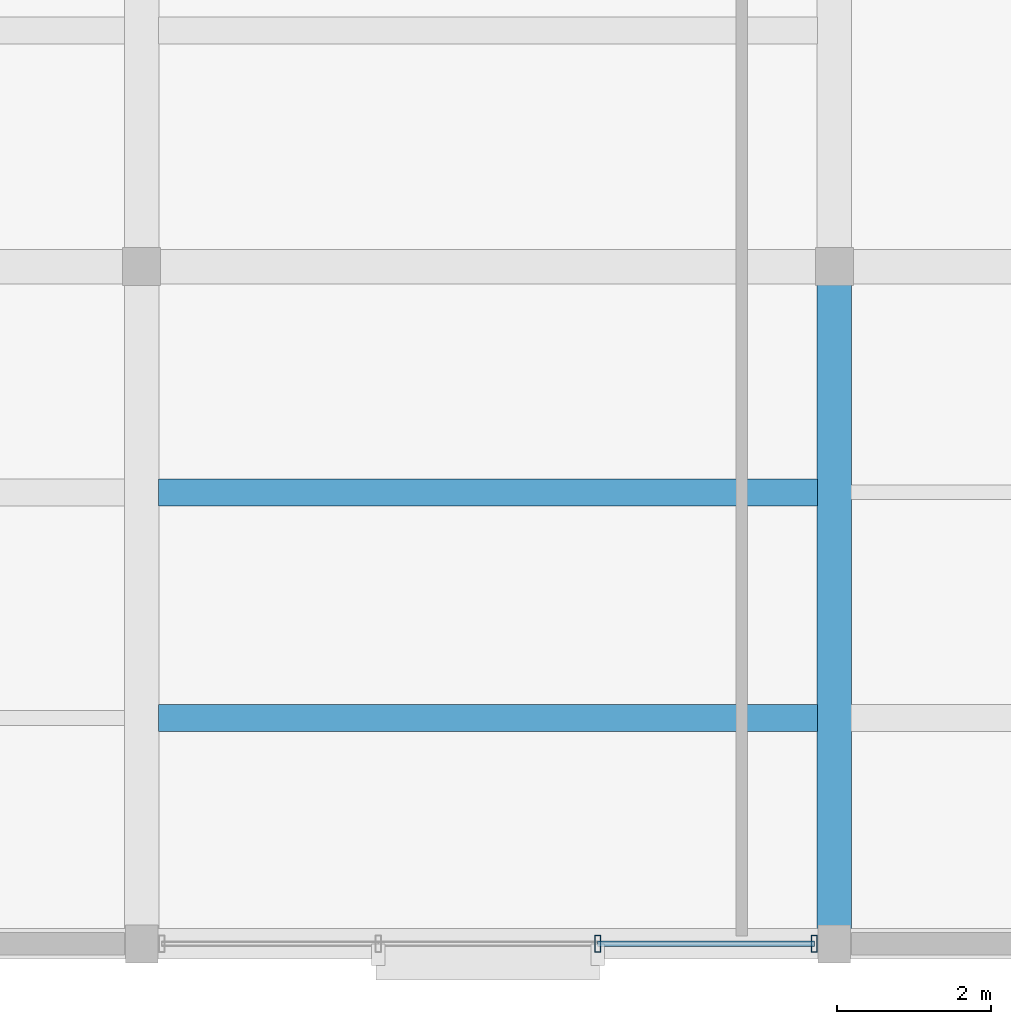
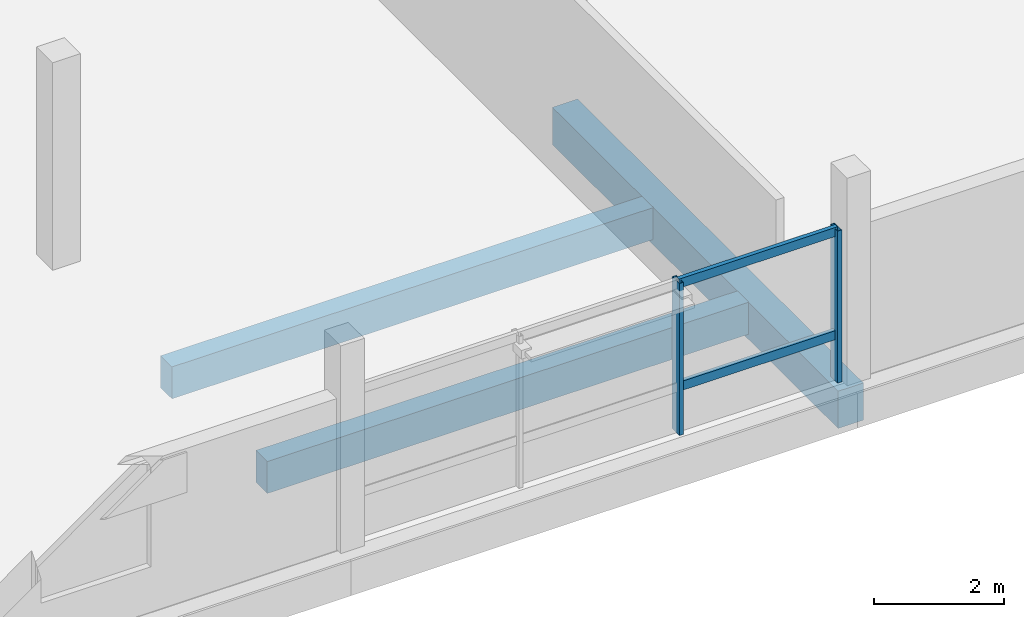
# One storey, part 11 of 62: 4 members, 3 beams, 1 element without a shape of its own.
"""IFC4 building model written with IfcOpenShell, lengths in metres."""

from ifc_helpers import new_model, si_unit, direction, frame, origin, origin_2d, place, context, subcontext, project, spatial, rectangle, hollow_rectangle, extrude, material, layer, layer_set, material_profile, profile_set, type_object, element, aggregate, save


model = new_model("IFC4")

# Units and contexts
model_context = context("Model", 3, precision=1e-05, world=origin(), true_north=direction((0.0, 1.0)))
body_context = subcontext(model_context, "Body", "Model", "MODEL_VIEW")
ifc_project = project(units=[si_unit("LENGTHUNIT", "METRE"), si_unit("AREAUNIT", "SQUARE_METRE"), si_unit("VOLUMEUNIT", "CUBIC_METRE"), si_unit("PLANEANGLEUNIT", "RADIAN"), si_unit("MASSUNIT", "GRAM", prefix="KILO")], contexts=[model_context])

# Site, building, storey
site_placement = place(None, origin())
site = spatial("IfcSite", under=ifc_project, at=site_placement, CompositionType="ELEMENT")
building_placement = place(site_placement, origin())
building = spatial("IfcBuilding", under=site, at=building_placement, Name="Meriwether Solvik Hall", CompositionType="ELEMENT")
storey_placement = place(building_placement, frame((0.0, 0.0, 14.39990234375)))
storey = spatial("IfcBuildingStorey", under=building, at=storey_placement, Name="L03", CompositionType="ELEMENT", Elevation=14.39990234375)

# Beams
ifc_material_1 = material(Name="Concrete C40/50", Category="concrete")
ifc_material_profile_1 = material_profile(ifc_material_1, rectangle(XDim=0.35009765625, YDim=0.60009765625, at=origin_2d()), Name="RCB-350X600")
ifc_profile_set_1 = profile_set([ifc_material_profile_1], Name="Concrete C40/50")
beam_type_1 = type_object("IfcBeamType", Name="BM-RC-350X600", PredefinedType="JOIST", material=ifc_profile_set_1)
for number, where, z_axis, x_axis, name in (
    (1, (87.02001953125, 8.13330078125, -0.544921875), (1.0, 0.0, 0.0), (0.0, 1.0, 0.0), "Secondary Floor Joist 10/A_J1 (L03)"),
    (2, (87.02001953125, 11.066650390625, -0.544921875), (1.0, 0.0, 0.0), (0.0, 1.0, 0.0), "Secondary Floor Joist 10/A_J2 (L03)"),
):
    element("IfcBeam", number, at=place(storey_placement, frame(where, z_axis=z_axis, x_axis=x_axis)), inside=storey, type_object=beam_type_1, Name=name, PredefinedType="JOIST", context=body_context, shape_type="SweptSolid", body=[
        extrude(rectangle(XDim=0.35009765625, YDim=0.60009765625, at=origin_2d()), origin(), (0.0, 0.0, 1.0), 8.56005859375),
    ])
ifc_material_2 = material(Name="Concrete C40/50", Category="concrete")
ifc_material_profile_2 = material_profile(ifc_material_2, rectangle(XDim=0.449951171875, YDim=0.699951171875, at=origin_2d()), Name="RCB-450X700")
ifc_profile_set_2 = profile_set([ifc_material_profile_2], Name="Concrete C40/50")
beam_type_2 = type_object("IfcBeamType", Name="BM-RC-450X700", PredefinedType="BEAM", material=ifc_profile_set_2)
beam_placement = place(storey_placement, frame((95.800048828125, 5.199951171875, -0.594970703125), z_axis=(0.0, 1.0, 0.0), x_axis=(-1.0, 0.0, 0.0)))
element("IfcBeam", 3, at=beam_placement, inside=storey, type_object=beam_type_2, Name="Podium Girder 11:A-B (L03)", PredefinedType="BEAM", context=body_context, shape_type="SweptSolid", body=[
    extrude(rectangle(XDim=0.449951171875, YDim=0.699951171875, at=origin_2d()), origin(), (0.0, 0.0, 1.0), 8.800048828125),
])

# Curtain wall, members
ifc_material_3 = material(Name="Thermally Broken Anodised Aluminium 6063-T6 and Low-E Glass", Category="aluminium")
ifc_layer = layer(ifc_material_3, 0.179931640625)
ifc_layer_set = layer_set([ifc_layer], Name="Thermally Broken Anodised Aluminium 6063-T6 and Low-E Glass")
curtain_wall_type = type_object("IfcCurtainWallType", Name="CW-UNIT-E", PredefinedType="USERDEFINED", material=ifc_layer_set)
curtain_wall_placement = place(storey_placement, origin())
curtain_wall = element("IfcCurtainWall", 4, at=curtain_wall_placement, inside=storey, type_object=curtain_wall_type, Name="Curtain Wall wing_XA_10_3 (L03)", ObjectType="UNITISED CURTAIN WALL", PredefinedType="USERDEFINED")
ifc_material_4 = material(Name="Anodised Aluminium 6063-T6", Category="aluminium")
ifc_material_profile_3 = material_profile(ifc_material_4, hollow_rectangle(XDim=0.074951171875, YDim=0.219970703125, WallThickness=0.005615234375, at=origin_2d()), Name="CWM-75X220")
ifc_profile_set_3 = profile_set([ifc_material_profile_3], Name="Anodised Aluminium 6063-T6")
member_type_1 = type_object("IfcMemberType", Name="CW-MUL-75X220", PredefinedType="MULLION", material=ifc_profile_set_3)
member_1_placement = place(storey_placement, frame((95.5400390625, 5.199951171875, 0.0), z_axis=(0.0, 0.0, 1.0), x_axis=(-1.0, 0.0, 0.0)))
member_1 = element("IfcMember", 5, at=member_1_placement, type_object=member_type_1, Name="Curtain Wall Mullion 1", PredefinedType="MULLION", context=body_context, shape_type="SweptSolid", body=[
    extrude(hollow_rectangle(XDim=0.074951171875, YDim=0.219970703125, WallThickness=0.005615234375, at=origin_2d()), origin(), (0.0, 0.0, 1.0), 2.85498046875),
])
member_2_placement = place(storey_placement, frame((92.72607421875, 5.199951171875, 0.0), z_axis=(0.0, 0.0, 1.0), x_axis=(-1.0, 0.0, 0.0)))
member_2 = element("IfcMember", 6, at=member_2_placement, type_object=member_type_1, Name="Curtain Wall Mullion 2", PredefinedType="MULLION", context=body_context, shape_type="SweptSolid", body=[
    extrude(hollow_rectangle(XDim=0.074951171875, YDim=0.219970703125, WallThickness=0.005615234375, at=origin_2d()), origin(), (0.0, 0.0, 1.0), 2.85498046875),
])
ifc_material_5 = material(Name="Anodised Aluminium 6063-T6", Category="aluminium")
ifc_material_profile_4 = material_profile(ifc_material_5, hollow_rectangle(XDim=0.074951171875, YDim=0.169921875, WallThickness=0.005615234375, at=origin_2d()), Name="CWT-75X170")
ifc_profile_set_4 = profile_set([ifc_material_profile_4], Name="Anodised Aluminium 6063-T6")
member_type_2 = type_object("IfcMemberType", Name="CW-TRN-75X170", PredefinedType="USERDEFINED", material=ifc_profile_set_4)
member_3_placement = place(storey_placement, frame((95.5400390625, 5.199951171875, 0.856689453125), z_axis=(-1.0, 0.0, 0.0), x_axis=(0.0, -1.0, 0.0)))
member_3 = element("IfcMember", 7, at=member_3_placement, type_object=member_type_2, Name="Curtain Wall Transom 1-sill", ObjectType="TRANSOM", PredefinedType="USERDEFINED", context=body_context, shape_type="SweptSolid", body=[
    extrude(hollow_rectangle(XDim=0.074951171875, YDim=0.169921875, WallThickness=0.005615234375, at=origin_2d()), origin(), (0.0, 0.0, 1.0), 2.81396484375),
])
member_4_placement = place(storey_placement, frame((95.5400390625, 5.199951171875, 2.795166015625), z_axis=(-1.0, 0.0, 0.0), x_axis=(0.0, -1.0, 0.0)))
member_4 = element("IfcMember", 8, at=member_4_placement, type_object=member_type_2, Name="Curtain Wall Transom 1-head", ObjectType="TRANSOM", PredefinedType="USERDEFINED", context=body_context, shape_type="SweptSolid", body=[
    extrude(hollow_rectangle(XDim=0.074951171875, YDim=0.169921875, WallThickness=0.005615234375, at=origin_2d()), origin(), (0.0, 0.0, 1.0), 2.81396484375),
])
aggregate(curtain_wall, [member_1, member_2, member_3, member_4])

save(model, "model.ifc")
